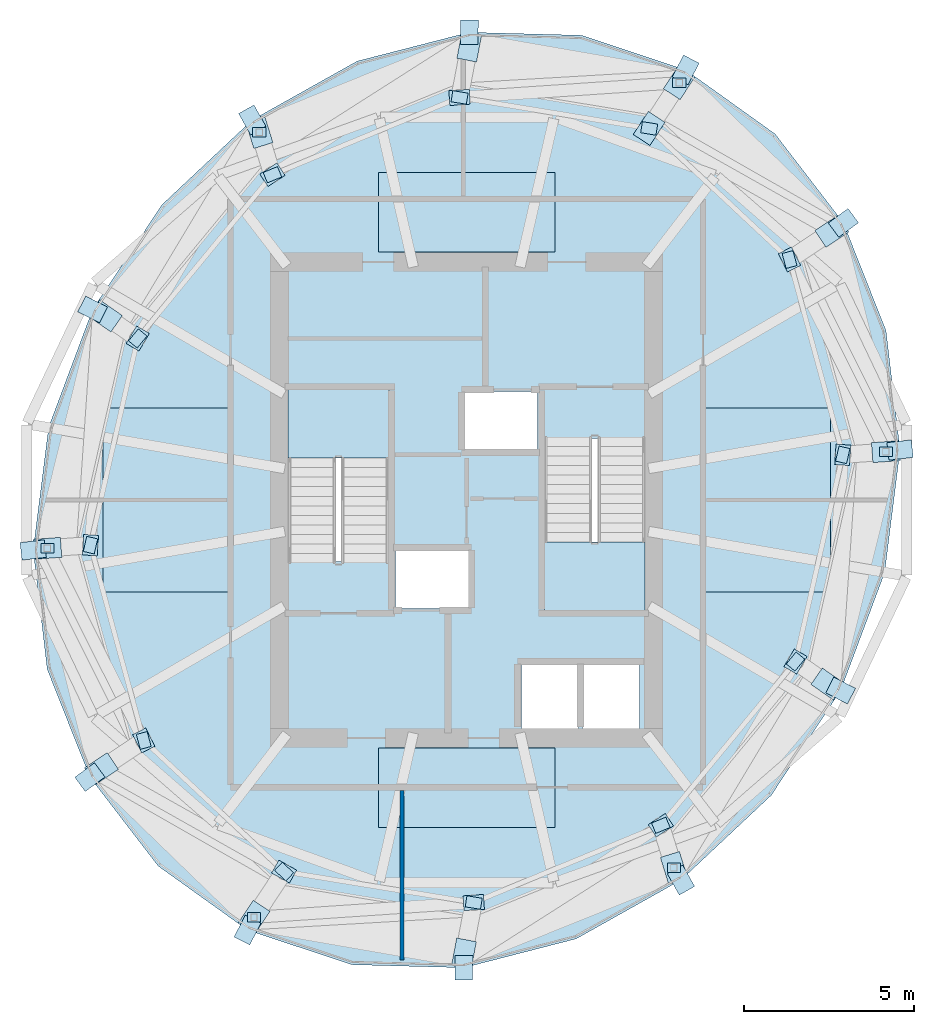
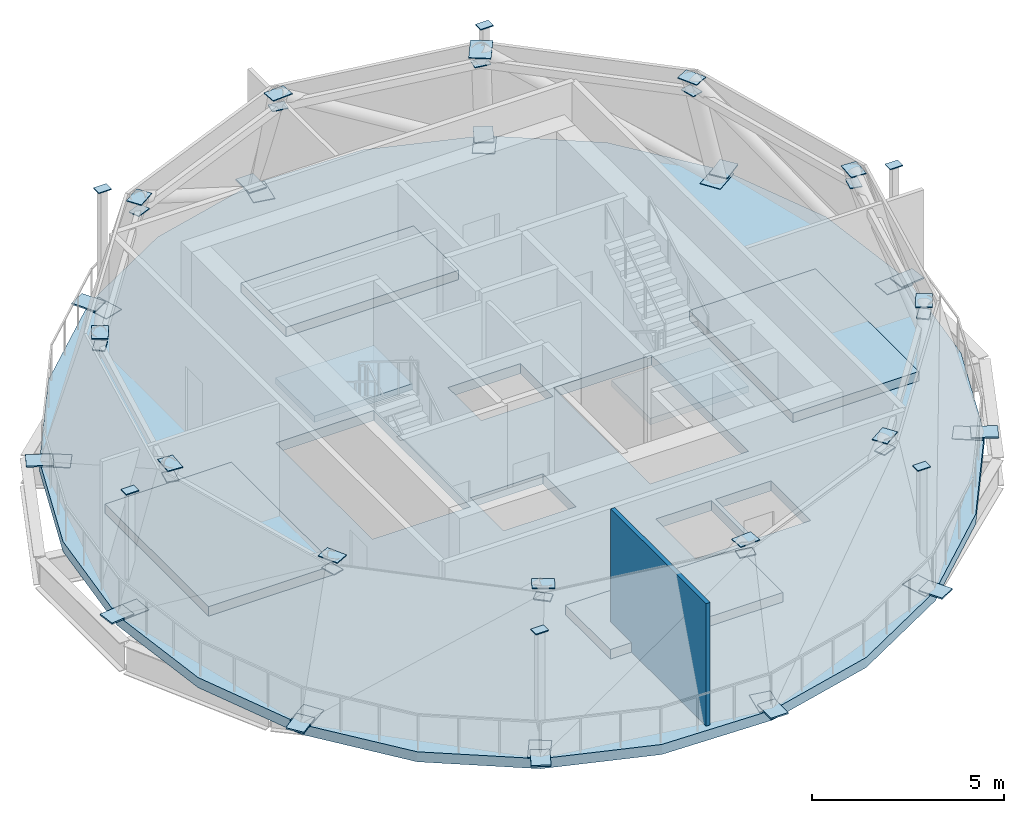
# One storey, part 3 of 7: 54 plates, 7 slabs, 1 wall, 2 elements without a shape of their own.
"""IFC4 building model written with IfcOpenShell, lengths in metres."""

from ifc_helpers import new_model, si_unit, direction, frame, frame_2d, origin, origin_2d, place, context, subcontext, project, spatial, polyline, rectangle, outline, extrude, material, layer, layer_set, type_object, element, aggregate, save


model = new_model("IFC4")

# Units and contexts
model_context = context("Model", 3, precision=1e-05, world=origin(), true_north=direction((0.0, 1.0)))
body_context = subcontext(model_context, "Body", "Model", "MODEL_VIEW")
ifc_project = project(units=[si_unit("LENGTHUNIT", "METRE"), si_unit("AREAUNIT", "SQUARE_METRE"), si_unit("VOLUMEUNIT", "CUBIC_METRE"), si_unit("PLANEANGLEUNIT", "RADIAN"), si_unit("MASSUNIT", "GRAM", prefix="KILO")], contexts=[model_context])

# Site, building, storey
site_placement = place(None, origin())
site = spatial("IfcSite", under=ifc_project, at=site_placement, CompositionType="ELEMENT")
building_placement = place(site_placement, origin())
building = spatial("IfcBuilding", under=site, at=building_placement, Name="Veldorim Arch Residences", CompositionType="ELEMENT")
storey_placement = place(building_placement, frame((0.0, 0.0, 251.0400390625)))
storey = spatial("IfcBuildingStorey", under=building, at=storey_placement, Name="L75", CompositionType="ELEMENT", Elevation=251.0400390625)

# Slabs
ifc_material_1 = material(Name="Precast concrete C40/50", Category="concrete")
ifc_layer_1 = layer(ifc_material_1, 0.300048828125, Name="Crown Mechanical Equipment Plinth 300")
ifc_layer_set_1 = layer_set([ifc_layer_1], Name="Precast concrete C40/50")
slab_type_1 = type_object("IfcSlabType", Name="Crown Mechanical Equipment Plinth 300", PredefinedType="USERDEFINED", material=ifc_layer_set_1)
slab_1_placement = place(storey_placement, origin())
element("IfcSlab", 1, at=slab_1_placement, inside=storey, type_object=slab_type_1, Name="L75 Chiller plinth", ObjectType="PLINTH", PredefinedType="USERDEFINED", context=body_context, shape_type="SweptSolid", body=[
    extrude(outline(polyline([(21.2958984375, 26.699951171875), (25.095947265625, 26.699951171875), (25.095947265625, 21.300048828125), (21.2958984375, 21.300048828125), (21.2958984375, 26.699951171875)])), origin(), (0.0, 0.0, 1.0), 0.300048828125),
])
slab_2_placement = place(storey_placement, origin())
element("IfcSlab", 2, at=slab_2_placement, inside=storey, type_object=slab_type_1, Name="L75 Cooling tower plinth", ObjectType="PLINTH", PredefinedType="USERDEFINED", context=body_context, shape_type="SweptSolid", body=[
    extrude(outline(polyline([(38.904052734375, 26.699951171875), (42.7041015625, 26.699951171875), (42.7041015625, 21.300048828125), (38.904052734375, 21.300048828125), (38.904052734375, 26.699951171875)])), origin(), (0.0, 0.0, 1.0), 0.300048828125),
])
slab_3_placement = place(storey_placement, origin())
element("IfcSlab", 3, at=slab_3_placement, inside=storey, type_object=slab_type_1, Name="L75 Break water tank plinth", ObjectType="PLINTH", PredefinedType="USERDEFINED", context=body_context, shape_type="SweptSolid", body=[
    extrude(outline(polyline([(34.60009765625, 14.364013671875), (29.39990234375, 14.364013671875), (29.39990234375, 16.699951171875), (34.60009765625, 16.699951171875), (34.60009765625, 14.364013671875)])), origin(), (0.0, 0.0, 1.0), 0.300048828125),
])
slab_4_placement = place(storey_placement, origin())
element("IfcSlab", 4, at=slab_4_placement, inside=storey, type_object=slab_type_1, Name="L75 Tuned mass damper & AHU plinth", ObjectType="PLINTH", PredefinedType="USERDEFINED", context=body_context, shape_type="SweptSolid", body=[
    extrude(outline(polyline([(29.39990234375, 33.635986328125), (34.60009765625, 33.635986328125), (34.60009765625, 31.300048828125), (29.39990234375, 31.300048828125), (29.39990234375, 33.635986328125)])), origin(), (0.0, 0.0, 1.0), 0.300048828125),
])

# Plates
ifc_material_2 = material(Name="Steel S460", Category="steel")
ifc_layer_2 = layer(ifc_material_2, 0.044921875, Name="Crown Rib Base Shoe Anchor Plate 45")
ifc_layer_set_2 = layer_set([ifc_layer_2], Name="Steel S460")
plate_type_1 = type_object("IfcPlateType", Name="Crown Rib Base Shoe Anchor Plate 45", PredefinedType="USERDEFINED", material=ifc_layer_set_2)
for number, where, z_axis, x_axis, name in (
    (5, (38.44677734375, 36.65234375, 0.0), (0.0, 0.0, 1.0), (0.45399049974, 0.891006524188, 0.0), "Crown rib base shoe anchor plate 01"),
    (6, (32.0810546875, 37.760498046875, 0.0), (0.0, 0.0, 1.0), (0.00593408463, 0.999982393165, 0.0), "Crown rib base shoe anchor plate 02"),
    (7, (25.693603515625, 35.181884765625, 0.0), (0.0, 0.0, 1.0), (-0.491207834691, 0.87104240031, 0.0), "Crown rib base shoe anchor plate 03"),
    (8, (20.99609375, 29.606689453125, 0.0), (0.0, 0.0, 1.0), (-0.891006524188, 0.45399049974, 0.0), "Crown rib base shoe anchor plate 04"),
    (9, (19.2470703125, 22.529541015625, 0.0), (0.0, 0.0, 1.0), (-0.993412825714, -0.114590390988, 0.0), "Crown rib base shoe anchor plate 05"),
    (10, (20.9150390625, 15.84619140625, 0.0), (0.0, 0.0, 1.0), (-0.805514782715, -0.592575678566, 0.0), "Crown rib base shoe anchor plate 06"),
    (11, (25.55322265625, 11.34765625, 0.0), (0.0, 0.0, 1.0), (-0.45399049974, -0.891006524188, 0.0), "Crown rib base shoe anchor plate 07"),
    (12, (31.9189453125, 10.239501953125, 0.0), (0.0, 0.0, 1.0), (-0.00593408463, -0.999982393165, 0.0), "Crown rib base shoe anchor plate 08"),
    (13, (38.306396484375, 12.818115234375, 0.0), (0.0, 0.0, 1.0), (0.491207834691, -0.87104240031, 0.0), "Crown rib base shoe anchor plate 09"),
    (14, (43.00390625, 18.393310546875, 0.0), (0.0, 0.0, 1.0), (0.891006524188, -0.45399049974, 0.0), "Crown rib base shoe anchor plate 10"),
    (15, (44.7529296875, 25.470458984375, 0.0), (0.0, 0.0, 1.0), (0.993412825714, 0.114590390988, 0.0), "Crown rib base shoe anchor plate 11"),
    (16, (43.0849609375, 32.15380859375, 0.0), (0.0, 0.0, 1.0), (0.805514782715, 0.592575678566, 0.0), "Crown rib base shoe anchor plate 12"),
):
    element("IfcPlate", number, at=place(storey_placement, frame(where, z_axis=z_axis, x_axis=x_axis)), inside=storey, type_object=plate_type_1, Name=name, ObjectType="BASE PLATE", PredefinedType="USERDEFINED", context=body_context, shape_type="SweptSolid", body=[
        extrude(rectangle(XDim=0.719970703125, YDim=0.52001953125, at=origin_2d()), origin(), (0.0, 0.0, 1.0), 0.044921875),
    ])

# Slab
ifc_material_3 = material(Name="Concrete C50/60", Category="concrete")
ifc_layer_3 = layer(ifc_material_3, 0.449951171875, Name="L05 Podium Transfer Deck Slab 450")
ifc_layer_set_3 = layer_set([ifc_layer_3], Name="Concrete C50/60")
slab_type_2 = type_object("IfcSlabType", Name="L05 Podium Transfer Deck Slab 450", PredefinedType="FLOOR", material=ifc_layer_set_3)
slab_5_placement = place(storey_placement, frame((0.0, 0.0, -0.320068359375)))
element("IfcSlab", 17, at=slab_5_placement, inside=storey, type_object=slab_type_2, Name="L75 tower structural floor slab", PredefinedType="FLOOR", context=body_context, shape_type="SweptSolid", body=[
    extrude(outline(polyline([(38.44677734375, 36.65234375), (35.37890625, 37.67236328125), (32.0810546875, 37.760498046875), (28.777587890625, 36.9111328125), (25.693603515625, 35.181884765625), (23.03955078125, 32.6904296875), (20.99609375, 29.606689453125), (19.702392578125, 26.14111328125), (19.2470703125, 22.529541015625), (19.66064453125, 19.01806640625), (20.9150390625, 15.84619140625), (22.925048828125, 13.22998046875), (25.55322265625, 11.34765625), (28.62109375, 10.32763671875), (31.9189453125, 10.239501953125), (35.222412109375, 11.0888671875), (38.306396484375, 12.818115234375), (40.96044921875, 15.3095703125), (43.00390625, 18.393310546875), (44.297607421875, 21.85888671875), (44.7529296875, 25.470458984375), (44.33935546875, 28.98193359375), (43.0849609375, 32.15380859375), (41.074951171875, 34.77001953125), (38.44677734375, 36.65234375)]), holes=[polyline([(35.2900390625, 17.2099609375), (33.610107421875, 17.2099609375), (33.610107421875, 19.2900390625), (35.2900390625, 19.2900390625), (35.2900390625, 17.2099609375)]), polyline([(35.409912109375, 17.2099609375), (35.409912109375, 19.2900390625), (37.090087890625, 19.2900390625), (37.090087890625, 17.2099609375), (35.409912109375, 17.2099609375)]), polyline([(29.909912109375, 20.81494140625), (29.909912109375, 22.544921875), (32.090087890625, 22.544921875), (32.090087890625, 20.81494140625), (29.909912109375, 20.81494140625)]), polyline([(37.25, 20.75), (34.2900390625, 20.75), (34.2900390625, 25.804931640625), (37.25, 25.804931640625), (37.25, 20.75)]), polyline([(26.75, 22.195068359375), (26.75, 27.25), (29.7099609375, 27.25), (29.7099609375, 22.195068359375), (26.75, 22.195068359375)]), polyline([(31.909912109375, 25.455078125), (31.909912109375, 27.18505859375), (34.090087890625, 27.18505859375), (34.090087890625, 25.455078125), (31.909912109375, 25.455078125)])]), origin(), (0.0, 0.0, 1.0), 0.320068359375),
])

# Stair, slab
ifc_material_4 = material(Name="Concrete C40/50", Category="concrete")
stair_type = type_object("IfcStairType", Name="Reinforced Concrete Dogleg Exit Staircase", PredefinedType="HALF_TURN_STAIR", material=ifc_material_4)
stair_1_placement = place(storey_placement, origin())
stair_1 = element("IfcStair", 18, at=stair_1_placement, inside=storey, type_object=stair_type, Name="L75 Exit Staircase ST-1", PredefinedType="HALF_TURN_STAIR")
ifc_material_5 = material(Name="Concrete C40/50", Category="concrete")
ifc_layer_4 = layer(ifc_material_5, 0.199951171875, Name="Reinforced Concrete Stair Landing 200")
ifc_layer_set_4 = layer_set([ifc_layer_4], Name="Concrete C40/50")
slab_type_3 = type_object("IfcSlabType", Name="Reinforced Concrete Stair Landing 200", PredefinedType="LANDING", material=ifc_layer_set_4)
slab_6_placement = place(storey_placement, frame((0.0, 0.0, 1.8798828125)))
slab_6 = element("IfcSlab", 19, at=slab_6_placement, type_object=slab_type_3, Name="ST-1 landing 1", PredefinedType="LANDING", context=body_context, shape_type="SweptSolid", body=[
    extrude(outline(polyline([(29.7099609375, 25.22998046875), (29.7099609375, 27.25), (26.75, 27.25), (26.75, 25.22998046875), (29.7099609375, 25.22998046875)])), origin(), (0.0, 0.0, 1.0), 0.2001953125),
])
aggregate(stair_1, [slab_6])

stair_2_placement = place(storey_placement, origin())
stair_2 = element("IfcStair", 20, at=stair_2_placement, inside=storey, type_object=stair_type, Name="L75 Exit Staircase ST-2", PredefinedType="HALF_TURN_STAIR")
slab_7_placement = place(storey_placement, frame((0.0, 0.0, 1.8798828125)))
slab_7 = element("IfcSlab", 21, at=slab_7_placement, type_object=slab_type_3, Name="ST-2 landing 1", PredefinedType="LANDING", context=body_context, shape_type="SweptSolid", body=[
    extrude(outline(polyline([(34.2900390625, 22.77001953125), (34.2900390625, 20.75), (37.25, 20.75), (37.25, 22.77001953125), (34.2900390625, 22.77001953125)])), origin(), (0.0, 0.0, 1.0), 0.2001953125),
])
aggregate(stair_2, [slab_7])

# Plates
ifc_material_6 = material(Name="Steel S460", Category="steel")
ifc_layer_5 = layer(ifc_material_6, 0.028076171875, Name="Welded Crown Rib End-Cap Gusset Plate 28")
ifc_layer_set_5 = layer_set([ifc_layer_5], Name="Steel S460")
plate_type_2 = type_object("IfcPlateType", Name="Welded Crown Rib End-Cap Gusset Plate 28", PredefinedType="USERDEFINED", material=ifc_layer_set_5)
for number, where, z_axis, x_axis, name in (
    (22, (38.256103515625, 36.278076171875, -0.01416015625), (0.0, 0.0, 1.0), (-0.549926926986, -0.835212772278, 0.0), "L75 Crown Diagrid tapering rib 01 welded joint gusset plate 1"),
    (23, (37.369873046875, 34.932373046875, 4.14599609375), (0.0, 0.0, 1.0), (-0.549926926986, -0.835212772278, 0.0), "L75 Crown Diagrid tapering rib 01 welded joint gusset plate 2"),
):
    element("IfcPlate", number, at=place(storey_placement, frame(where, z_axis=z_axis, x_axis=x_axis)), inside=storey, type_object=plate_type_2, Name=name, ObjectType="GUSSET PLATE", PredefinedType="USERDEFINED", context=body_context, shape_type="SweptSolid", body=[
        extrude(rectangle(XDim=0.81103515625, YDim=0.587890625, at=origin_2d()), origin(), (0.0, 0.0, 1.0), 0.028076171875),
    ])
plate_1_placement = place(storey_placement, frame((31.7919921875, 35.84326171875, 4.14599609375), z_axis=(0.0, 0.0, 1.0), x_axis=(-0.997744425219, -0.067127207184, 0.0)))
element("IfcPlate", 24, at=plate_1_placement, inside=storey, type_object=plate_type_2, Name="L75 Crown Diagrid diagrid brace 01 welded joint gusset plate 2", ObjectType="GUSSET PLATE", PredefinedType="USERDEFINED", context=body_context, shape_type="SweptSolid", body=[
    extrude(rectangle(XDim=0.60205078125, YDim=0.43603515625, at=origin_2d()), origin(), (0.0, 0.0, 1.0), 0.028076171875),
])
for number, where, z_axis, x_axis, name in (
    (25, (37.369873046875, 34.932373046875, 3.72607421875), (0.0, 0.0, 1.0), (-0.986926135432, 0.161173208696, 0.0), "L75 crown ring purlin 01 welded joint gusset plate 1"),
    (26, (31.7919921875, 35.84326171875, 3.72607421875), (0.0, 0.0, 1.0), (-0.986926135432, 0.161173208696, 0.0), "L75 crown ring purlin 01 welded joint gusset plate 2"),
):
    element("IfcPlate", number, at=place(storey_placement, frame(where, z_axis=z_axis, x_axis=x_axis)), inside=storey, type_object=plate_type_2, Name=name, ObjectType="GUSSET PLATE", PredefinedType="USERDEFINED", context=body_context, shape_type="SweptSolid", body=[
        extrude(rectangle(XDim=0.455078125, YDim=0.330078125, at=origin_2d()), origin(), (0.0, 0.0, 1.0), 0.028076171875),
    ])
plate_2_placement = place(storey_placement, frame((38.256103515625, 36.278076171875, 3.7958984375), z_axis=(0.0, 0.0, 1.0), x_axis=(1.0, 0.0, 0.0)))
element("IfcPlate", 27, at=plate_2_placement, inside=storey, type_object=plate_type_2, Name="L75 crown interior support post 01 welded joint gusset plate 2", ObjectType="GUSSET PLATE", PredefinedType="USERDEFINED", context=body_context, shape_type="SweptSolid", body=[
    extrude(rectangle(XDim=0.385986328125, YDim=0.280029296875, at=origin_2d()), origin(), (0.0, 0.0, 1.0), 0.028076171875),
])
plate_3_placement = place(storey_placement, frame((32.07861328125, 37.340576171875, -0.01416015625), z_axis=(0.0, 0.0, 1.0), x_axis=(-0.187981324723, -0.982172602731, 0.0)))
element("IfcPlate", 28, at=plate_3_placement, inside=storey, type_object=plate_type_2, Name="L75 Crown Diagrid tapering rib 02 welded joint gusset plate 1", ObjectType="GUSSET PLATE", PredefinedType="USERDEFINED", context=body_context, shape_type="SweptSolid", body=[
    extrude(rectangle(XDim=0.81103515625, YDim=0.587890625, at=origin_2d()), origin(), (0.0, 0.0, 1.0), 0.028076171875),
])
plate_4_placement = place(storey_placement, frame((26.286865234375, 33.5703125, 4.14599609375), z_axis=(0.0, 0.0, 1.0), x_axis=(-0.838071199182, -0.545560872041, 0.0)))
element("IfcPlate", 29, at=plate_4_placement, inside=storey, type_object=plate_type_2, Name="L75 Crown Diagrid diagrid brace 02 welded joint gusset plate 2", ObjectType="GUSSET PLATE", PredefinedType="USERDEFINED", context=body_context, shape_type="SweptSolid", body=[
    extrude(rectangle(XDim=0.60205078125, YDim=0.43603515625, at=origin_2d()), origin(), (0.0, 0.0, 1.0), 0.028076171875),
])
plate_5_placement = place(storey_placement, frame((26.286865234375, 33.5703125, 3.72607421875), z_axis=(0.0, 0.0, 1.0), x_axis=(-0.924319739128, -0.381618945884, 0.0)))
element("IfcPlate", 30, at=plate_5_placement, inside=storey, type_object=plate_type_2, Name="L75 crown ring purlin 02 welded joint gusset plate 2", ObjectType="GUSSET PLATE", PredefinedType="USERDEFINED", context=body_context, shape_type="SweptSolid", body=[
    extrude(rectangle(XDim=0.455078125, YDim=0.330078125, at=origin_2d()), origin(), (0.0, 0.0, 1.0), 0.028076171875),
])
plate_6_placement = place(storey_placement, frame((25.89990234375, 34.81591796875, -0.01416015625), z_axis=(0.0, 0.0, 1.0), x_axis=(0.296708252883, -0.954968173643, 0.0)))
element("IfcPlate", 31, at=plate_6_placement, inside=storey, type_object=plate_type_2, Name="L75 Crown Diagrid tapering rib 03 welded joint gusset plate 1", ObjectType="GUSSET PLATE", PredefinedType="USERDEFINED", context=body_context, shape_type="SweptSolid", body=[
    extrude(rectangle(XDim=0.81103515625, YDim=0.587890625, at=origin_2d()), origin(), (0.0, 0.0, 1.0), 0.028076171875),
])
plate_7_placement = place(storey_placement, frame((22.32421875, 28.752685546875, 4.14599609375), z_axis=(0.0, 0.0, 1.0), x_axis=(-0.507959373781, -0.86138102753, 0.0)))
element("IfcPlate", 32, at=plate_7_placement, inside=storey, type_object=plate_type_2, Name="L75 Crown Diagrid diagrid brace 03 welded joint gusset plate 2", ObjectType="GUSSET PLATE", PredefinedType="USERDEFINED", context=body_context, shape_type="SweptSolid", body=[
    extrude(rectangle(XDim=0.60205078125, YDim=0.43603515625, at=origin_2d()), origin(), (0.0, 0.0, 1.0), 0.028076171875),
])
plate_8_placement = place(storey_placement, frame((22.32421875, 28.752685546875, 3.72607421875), z_axis=(0.0, 0.0, 1.0), x_axis=(-0.635229390388, -0.772323521322, 0.0)))
element("IfcPlate", 33, at=plate_8_placement, inside=storey, type_object=plate_type_2, Name="L75 crown ring purlin 03 welded joint gusset plate 2", ObjectType="GUSSET PLATE", PredefinedType="USERDEFINED", context=body_context, shape_type="SweptSolid", body=[
    extrude(rectangle(XDim=0.455078125, YDim=0.330078125, at=origin_2d()), origin(), (0.0, 0.0, 1.0), 0.028076171875),
])
plate_9_placement = place(storey_placement, frame((25.89990234375, 34.81591796875, 3.7958984375), z_axis=(0.0, 0.0, 1.0), x_axis=(1.0, 0.0, 0.0)))
element("IfcPlate", 34, at=plate_9_placement, inside=storey, type_object=plate_type_2, Name="L75 crown interior support post 02 welded joint gusset plate 2", ObjectType="GUSSET PLATE", PredefinedType="USERDEFINED", context=body_context, shape_type="SweptSolid", body=[
    extrude(rectangle(XDim=0.385986328125, YDim=0.280029296875, at=origin_2d()), origin(), (0.0, 0.0, 1.0), 0.028076171875),
])
plate_10_placement = place(storey_placement, frame((21.370361328125, 29.416015625, -0.01416015625), z_axis=(0.0, 0.0, 1.0), x_axis=(0.820969873659, -0.570971511149, 0.0)))
element("IfcPlate", 35, at=plate_10_placement, inside=storey, type_object=plate_type_2, Name="L75 Crown Diagrid tapering rib 04 welded joint gusset plate 1", ObjectType="GUSSET PLATE", PredefinedType="USERDEFINED", context=body_context, shape_type="SweptSolid", body=[
    extrude(rectangle(XDim=0.81103515625, YDim=0.587890625, at=origin_2d()), origin(), (0.0, 0.0, 1.0), 0.028076171875),
])
plate_11_placement = place(storey_placement, frame((20.93359375, 22.671630859375, 4.14599609375), z_axis=(0.0, 0.0, 1.0), x_axis=(-0.064636809378, -0.997908854993, 0.0)))
element("IfcPlate", 36, at=plate_11_placement, inside=storey, type_object=plate_type_2, Name="L75 Crown Diagrid diagrid brace 04 welded joint gusset plate 2", ObjectType="GUSSET PLATE", PredefinedType="USERDEFINED", context=body_context, shape_type="SweptSolid", body=[
    extrude(rectangle(XDim=0.60205078125, YDim=0.43603515625, at=origin_2d()), origin(), (0.0, 0.0, 1.0), 0.028076171875),
])
plate_12_placement = place(storey_placement, frame((20.93359375, 22.671630859375, 3.72607421875), z_axis=(0.0, 0.0, 1.0), x_axis=(-0.22296088872, -0.974827390927, 0.0)))
element("IfcPlate", 37, at=plate_12_placement, inside=storey, type_object=plate_type_2, Name="L75 crown ring purlin 04 welded joint gusset plate 2", ObjectType="GUSSET PLATE", PredefinedType="USERDEFINED", context=body_context, shape_type="SweptSolid", body=[
    extrude(rectangle(XDim=0.455078125, YDim=0.330078125, at=origin_2d()), origin(), (0.0, 0.0, 1.0), 0.028076171875),
])
plate_13_placement = place(storey_placement, frame((19.664306640625, 22.57763671875, -0.01416015625), z_axis=(0.0, 0.0, 1.0), x_axis=(0.997263104282, 0.073934436076, 0.0)))
element("IfcPlate", 38, at=plate_13_placement, inside=storey, type_object=plate_type_2, Name="L75 Crown Diagrid tapering rib 05 welded joint gusset plate 1", ObjectType="GUSSET PLATE", PredefinedType="USERDEFINED", context=body_context, shape_type="SweptSolid", body=[
    extrude(rectangle(XDim=0.81103515625, YDim=0.587890625, at=origin_2d()), origin(), (0.0, 0.0, 1.0), 0.028076171875),
])
plate_14_placement = place(storey_placement, frame((22.499755859375, 16.925537109375, 4.14599609375), z_axis=(0.0, 0.0, 1.0), x_axis=(0.448414416769, -0.89382577208, 0.0)))
element("IfcPlate", 39, at=plate_14_placement, inside=storey, type_object=plate_type_2, Name="L75 Crown Diagrid diagrid brace 05 welded joint gusset plate 2", ObjectType="GUSSET PLATE", PredefinedType="USERDEFINED", context=body_context, shape_type="SweptSolid", body=[
    extrude(rectangle(XDim=0.60205078125, YDim=0.43603515625, at=origin_2d()), origin(), (0.0, 0.0, 1.0), 0.028076171875),
])
plate_15_placement = place(storey_placement, frame((22.499755859375, 16.925537109375, 3.72607421875), z_axis=(0.0, 0.0, 1.0), x_axis=(0.262980697951, -0.964801094788, 0.0)))
element("IfcPlate", 40, at=plate_15_placement, inside=storey, type_object=plate_type_2, Name="L75 crown ring purlin 05 welded joint gusset plate 2", ObjectType="GUSSET PLATE", PredefinedType="USERDEFINED", context=body_context, shape_type="SweptSolid", body=[
    extrude(rectangle(XDim=0.455078125, YDim=0.330078125, at=origin_2d()), origin(), (0.0, 0.0, 1.0), 0.028076171875),
])
plate_16_placement = place(storey_placement, frame((19.664306640625, 22.57763671875, 3.7958984375), z_axis=(0.0, 0.0, 1.0), x_axis=(1.0, 0.0, 0.0)))
element("IfcPlate", 41, at=plate_16_placement, inside=storey, type_object=plate_type_2, Name="L75 crown interior support post 03 welded joint gusset plate 2", ObjectType="GUSSET PLATE", PredefinedType="USERDEFINED", context=body_context, shape_type="SweptSolid", body=[
    extrude(rectangle(XDim=0.385986328125, YDim=0.280029296875, at=origin_2d()), origin(), (0.0, 0.0, 1.0), 0.028076171875),
])
plate_17_placement = place(storey_placement, frame((21.25341796875, 16.09521484375, -0.01416015625), z_axis=(0.0, 0.0, 1.0), x_axis=(0.832167105762, 0.554524939104, 0.0)))
element("IfcPlate", 42, at=plate_17_placement, inside=storey, type_object=plate_type_2, Name="L75 Crown Diagrid tapering rib 06 welded joint gusset plate 1", ObjectType="GUSSET PLATE", PredefinedType="USERDEFINED", context=body_context, shape_type="SweptSolid", body=[
    extrude(rectangle(XDim=0.81103515625, YDim=0.587890625, at=origin_2d()), origin(), (0.0, 0.0, 1.0), 0.028076171875),
])
plate_18_placement = place(storey_placement, frame((26.630126953125, 13.067626953125, 4.14599609375), z_axis=(0.0, 0.0, 1.0), x_axis=(0.871367990088, -0.490630029504, 0.0)))
element("IfcPlate", 43, at=plate_18_placement, inside=storey, type_object=plate_type_2, Name="L75 Crown Diagrid diagrid brace 06 welded joint gusset plate 2", ObjectType="GUSSET PLATE", PredefinedType="USERDEFINED", context=body_context, shape_type="SweptSolid", body=[
    extrude(rectangle(XDim=0.60205078125, YDim=0.43603515625, at=origin_2d()), origin(), (0.0, 0.0, 1.0), 0.028076171875),
])
plate_19_placement = place(storey_placement, frame((26.630126953125, 13.067626953125, 3.72607421875), z_axis=(0.0, 0.0, 1.0), x_axis=(0.730805922597, -0.682585308586, 0.0)))
element("IfcPlate", 44, at=plate_19_placement, inside=storey, type_object=plate_type_2, Name="L75 crown ring purlin 06 welded joint gusset plate 2", ObjectType="GUSSET PLATE", PredefinedType="USERDEFINED", context=body_context, shape_type="SweptSolid", body=[
    extrude(rectangle(XDim=0.455078125, YDim=0.330078125, at=origin_2d()), origin(), (0.0, 0.0, 1.0), 0.028076171875),
])
plate_20_placement = place(storey_placement, frame((25.743896484375, 11.721923828125, -0.01416015625), z_axis=(0.0, 0.0, 1.0), x_axis=(0.549926926986, 0.835212772278, 0.0)))
element("IfcPlate", 45, at=plate_20_placement, inside=storey, type_object=plate_type_2, Name="L75 Crown Diagrid tapering rib 07 welded joint gusset plate 1", ObjectType="GUSSET PLATE", PredefinedType="USERDEFINED", context=body_context, shape_type="SweptSolid", body=[
    extrude(rectangle(XDim=0.81103515625, YDim=0.587890625, at=origin_2d()), origin(), (0.0, 0.0, 1.0), 0.028076171875),
])
plate_21_placement = place(storey_placement, frame((32.2080078125, 12.15673828125, 4.14599609375), z_axis=(0.0, 0.0, 1.0), x_axis=(0.997744425219, 0.067127207184, 0.0)))
element("IfcPlate", 46, at=plate_21_placement, inside=storey, type_object=plate_type_2, Name="L75 Crown Diagrid diagrid brace 07 welded joint gusset plate 2", ObjectType="GUSSET PLATE", PredefinedType="USERDEFINED", context=body_context, shape_type="SweptSolid", body=[
    extrude(rectangle(XDim=0.60205078125, YDim=0.43603515625, at=origin_2d()), origin(), (0.0, 0.0, 1.0), 0.028076171875),
])
plate_22_placement = place(storey_placement, frame((32.2080078125, 12.15673828125, 3.72607421875), z_axis=(0.0, 0.0, 1.0), x_axis=(0.986926135432, -0.161173208696, 0.0)))
element("IfcPlate", 47, at=plate_22_placement, inside=storey, type_object=plate_type_2, Name="L75 crown ring purlin 07 welded joint gusset plate 2", ObjectType="GUSSET PLATE", PredefinedType="USERDEFINED", context=body_context, shape_type="SweptSolid", body=[
    extrude(rectangle(XDim=0.455078125, YDim=0.330078125, at=origin_2d()), origin(), (0.0, 0.0, 1.0), 0.028076171875),
])
plate_23_placement = place(storey_placement, frame((25.743896484375, 11.721923828125, 3.7958984375), z_axis=(0.0, 0.0, 1.0), x_axis=(1.0, 0.0, 0.0)))
element("IfcPlate", 48, at=plate_23_placement, inside=storey, type_object=plate_type_2, Name="L75 crown interior support post 04 welded joint gusset plate 2", ObjectType="GUSSET PLATE", PredefinedType="USERDEFINED", context=body_context, shape_type="SweptSolid", body=[
    extrude(rectangle(XDim=0.385986328125, YDim=0.280029296875, at=origin_2d()), origin(), (0.0, 0.0, 1.0), 0.028076171875),
])
plate_24_placement = place(storey_placement, frame((31.92138671875, 10.659423828125, -0.01416015625), z_axis=(0.0, 0.0, 1.0), x_axis=(0.187981324723, 0.982172602731, 0.0)))
element("IfcPlate", 49, at=plate_24_placement, inside=storey, type_object=plate_type_2, Name="L75 Crown Diagrid tapering rib 08 welded joint gusset plate 1", ObjectType="GUSSET PLATE", PredefinedType="USERDEFINED", context=body_context, shape_type="SweptSolid", body=[
    extrude(rectangle(XDim=0.81103515625, YDim=0.587890625, at=origin_2d()), origin(), (0.0, 0.0, 1.0), 0.028076171875),
])
plate_25_placement = place(storey_placement, frame((37.713134765625, 14.4296875, 4.14599609375), z_axis=(0.0, 0.0, 1.0), x_axis=(0.838071199182, 0.545560872041, 0.0)))
element("IfcPlate", 50, at=plate_25_placement, inside=storey, type_object=plate_type_2, Name="L75 Crown Diagrid diagrid brace 08 welded joint gusset plate 2", ObjectType="GUSSET PLATE", PredefinedType="USERDEFINED", context=body_context, shape_type="SweptSolid", body=[
    extrude(rectangle(XDim=0.60205078125, YDim=0.43603515625, at=origin_2d()), origin(), (0.0, 0.0, 1.0), 0.028076171875),
])
plate_26_placement = place(storey_placement, frame((37.713134765625, 14.4296875, 3.72607421875), z_axis=(0.0, 0.0, 1.0), x_axis=(0.924319739128, 0.381618945884, 0.0)))
element("IfcPlate", 51, at=plate_26_placement, inside=storey, type_object=plate_type_2, Name="L75 crown ring purlin 08 welded joint gusset plate 2", ObjectType="GUSSET PLATE", PredefinedType="USERDEFINED", context=body_context, shape_type="SweptSolid", body=[
    extrude(rectangle(XDim=0.455078125, YDim=0.330078125, at=origin_2d()), origin(), (0.0, 0.0, 1.0), 0.028076171875),
])
plate_27_placement = place(storey_placement, frame((38.10009765625, 13.18408203125, -0.01416015625), z_axis=(0.0, 0.0, 1.0), x_axis=(-0.296708252883, 0.954968173643, 0.0)))
element("IfcPlate", 52, at=plate_27_placement, inside=storey, type_object=plate_type_2, Name="L75 Crown Diagrid tapering rib 09 welded joint gusset plate 1", ObjectType="GUSSET PLATE", PredefinedType="USERDEFINED", context=body_context, shape_type="SweptSolid", body=[
    extrude(rectangle(XDim=0.81103515625, YDim=0.587890625, at=origin_2d()), origin(), (0.0, 0.0, 1.0), 0.028076171875),
])
plate_28_placement = place(storey_placement, frame((41.67578125, 19.247314453125, 4.14599609375), z_axis=(0.0, 0.0, 1.0), x_axis=(0.507959373781, 0.86138102753, 0.0)))
element("IfcPlate", 53, at=plate_28_placement, inside=storey, type_object=plate_type_2, Name="L75 Crown Diagrid diagrid brace 09 welded joint gusset plate 2", ObjectType="GUSSET PLATE", PredefinedType="USERDEFINED", context=body_context, shape_type="SweptSolid", body=[
    extrude(rectangle(XDim=0.60205078125, YDim=0.43603515625, at=origin_2d()), origin(), (0.0, 0.0, 1.0), 0.028076171875),
])
plate_29_placement = place(storey_placement, frame((41.67578125, 19.247314453125, 3.72607421875), z_axis=(0.0, 0.0, 1.0), x_axis=(0.635229390388, 0.772323521322, 0.0)))
element("IfcPlate", 54, at=plate_29_placement, inside=storey, type_object=plate_type_2, Name="L75 crown ring purlin 09 welded joint gusset plate 2", ObjectType="GUSSET PLATE", PredefinedType="USERDEFINED", context=body_context, shape_type="SweptSolid", body=[
    extrude(rectangle(XDim=0.455078125, YDim=0.330078125, at=origin_2d()), origin(), (0.0, 0.0, 1.0), 0.028076171875),
])
plate_30_placement = place(storey_placement, frame((38.10009765625, 13.18408203125, 3.7958984375), z_axis=(0.0, 0.0, 1.0), x_axis=(1.0, 0.0, 0.0)))
element("IfcPlate", 55, at=plate_30_placement, inside=storey, type_object=plate_type_2, Name="L75 crown interior support post 05 welded joint gusset plate 2", ObjectType="GUSSET PLATE", PredefinedType="USERDEFINED", context=body_context, shape_type="SweptSolid", body=[
    extrude(rectangle(XDim=0.385986328125, YDim=0.280029296875, at=origin_2d()), origin(), (0.0, 0.0, 1.0), 0.028076171875),
])
plate_31_placement = place(storey_placement, frame((42.629638671875, 18.583984375, -0.01416015625), z_axis=(0.0, 0.0, 1.0), x_axis=(-0.820969873659, 0.570971511149, 0.0)))
element("IfcPlate", 56, at=plate_31_placement, inside=storey, type_object=plate_type_2, Name="L75 Crown Diagrid tapering rib 10 welded joint gusset plate 1", ObjectType="GUSSET PLATE", PredefinedType="USERDEFINED", context=body_context, shape_type="SweptSolid", body=[
    extrude(rectangle(XDim=0.81103515625, YDim=0.587890625, at=origin_2d()), origin(), (0.0, 0.0, 1.0), 0.028076171875),
])
plate_32_placement = place(storey_placement, frame((43.06640625, 25.328369140625, 4.14599609375), z_axis=(0.0, 0.0, 1.0), x_axis=(0.064636809378, 0.997908854993, 0.0)))
element("IfcPlate", 57, at=plate_32_placement, inside=storey, type_object=plate_type_2, Name="L75 Crown Diagrid diagrid brace 10 welded joint gusset plate 2", ObjectType="GUSSET PLATE", PredefinedType="USERDEFINED", context=body_context, shape_type="SweptSolid", body=[
    extrude(rectangle(XDim=0.60205078125, YDim=0.43603515625, at=origin_2d()), origin(), (0.0, 0.0, 1.0), 0.028076171875),
])
plate_33_placement = place(storey_placement, frame((43.06640625, 25.328369140625, 3.72607421875), z_axis=(0.0, 0.0, 1.0), x_axis=(0.22296088872, 0.974827390927, 0.0)))
element("IfcPlate", 58, at=plate_33_placement, inside=storey, type_object=plate_type_2, Name="L75 crown ring purlin 10 welded joint gusset plate 2", ObjectType="GUSSET PLATE", PredefinedType="USERDEFINED", context=body_context, shape_type="SweptSolid", body=[
    extrude(rectangle(XDim=0.455078125, YDim=0.330078125, at=origin_2d()), origin(), (0.0, 0.0, 1.0), 0.028076171875),
])
plate_34_placement = place(storey_placement, frame((44.335693359375, 25.42236328125, -0.01416015625), z_axis=(0.0, 0.0, 1.0), x_axis=(-0.997263104282, -0.073934436076, 0.0)))
element("IfcPlate", 59, at=plate_34_placement, inside=storey, type_object=plate_type_2, Name="L75 Crown Diagrid tapering rib 11 welded joint gusset plate 1", ObjectType="GUSSET PLATE", PredefinedType="USERDEFINED", context=body_context, shape_type="SweptSolid", body=[
    extrude(rectangle(XDim=0.81103515625, YDim=0.587890625, at=origin_2d()), origin(), (0.0, 0.0, 1.0), 0.028076171875),
])
plate_35_placement = place(storey_placement, frame((41.500244140625, 31.074462890625, 4.14599609375), z_axis=(0.0, 0.0, 1.0), x_axis=(-0.448414416769, 0.89382577208, 0.0)))
element("IfcPlate", 60, at=plate_35_placement, inside=storey, type_object=plate_type_2, Name="L75 Crown Diagrid diagrid brace 11 welded joint gusset plate 2", ObjectType="GUSSET PLATE", PredefinedType="USERDEFINED", context=body_context, shape_type="SweptSolid", body=[
    extrude(rectangle(XDim=0.60205078125, YDim=0.43603515625, at=origin_2d()), origin(), (0.0, 0.0, 1.0), 0.028076171875),
])
plate_36_placement = place(storey_placement, frame((41.500244140625, 31.074462890625, 3.72607421875), z_axis=(0.0, 0.0, 1.0), x_axis=(-0.262980697951, 0.964801094788, 0.0)))
element("IfcPlate", 61, at=plate_36_placement, inside=storey, type_object=plate_type_2, Name="L75 crown ring purlin 11 welded joint gusset plate 2", ObjectType="GUSSET PLATE", PredefinedType="USERDEFINED", context=body_context, shape_type="SweptSolid", body=[
    extrude(rectangle(XDim=0.455078125, YDim=0.330078125, at=origin_2d()), origin(), (0.0, 0.0, 1.0), 0.028076171875),
])
plate_37_placement = place(storey_placement, frame((44.335693359375, 25.42236328125, 3.7958984375), z_axis=(0.0, 0.0, 1.0), x_axis=(1.0, 0.0, 0.0)))
element("IfcPlate", 62, at=plate_37_placement, inside=storey, type_object=plate_type_2, Name="L75 crown interior support post 06 welded joint gusset plate 2", ObjectType="GUSSET PLATE", PredefinedType="USERDEFINED", context=body_context, shape_type="SweptSolid", body=[
    extrude(rectangle(XDim=0.385986328125, YDim=0.280029296875, at=origin_2d()), origin(), (0.0, 0.0, 1.0), 0.028076171875),
])
plate_38_placement = place(storey_placement, frame((42.74658203125, 31.90478515625, -0.01416015625), z_axis=(0.0, 0.0, 1.0), x_axis=(-0.832167105762, -0.554524939104, 0.0)))
element("IfcPlate", 63, at=plate_38_placement, inside=storey, type_object=plate_type_2, Name="L75 Crown Diagrid tapering rib 12 welded joint gusset plate 1", ObjectType="GUSSET PLATE", PredefinedType="USERDEFINED", context=body_context, shape_type="SweptSolid", body=[
    extrude(rectangle(XDim=0.81103515625, YDim=0.587890625, at=origin_2d()), origin(), (0.0, 0.0, 1.0), 0.028076171875),
])

# Wall
ifc_material_7 = material(Name="Acoustic Gypsum Board", Category="gypsum")
ifc_layer_6 = layer(ifc_material_7, 0.125, Name="Acoustic Stud Room Partition Wall 125")
ifc_layer_set_6 = layer_set([ifc_layer_6], Name="Acoustic Gypsum Board")
wall_type = type_object("IfcWallType", Name="Acoustic Stud Room Partition Wall 125", PredefinedType="PARTITIONING", material=ifc_layer_set_6)
wall_placement = place(storey_placement, frame((30.10009765625, 15.449951171875, 0.0), z_axis=(0.0, 0.0, 1.0), x_axis=(0.0, -1.0, 0.0)))
element("IfcWall", 64, at=wall_placement, inside=storey, type_object=wall_type, Name="L75 interior wall WL-PLT-L75-006", PredefinedType="PARTITIONING", context=body_context, shape_type="SweptSolid", body=[
    extrude(rectangle(XDim=4.981689453125, YDim=0.125, at=frame_2d((2.49072265625, 0.0))), origin(), (0.0, 0.0, 1.0), 3.905029296875),
])

save(model, "model.ifc")
